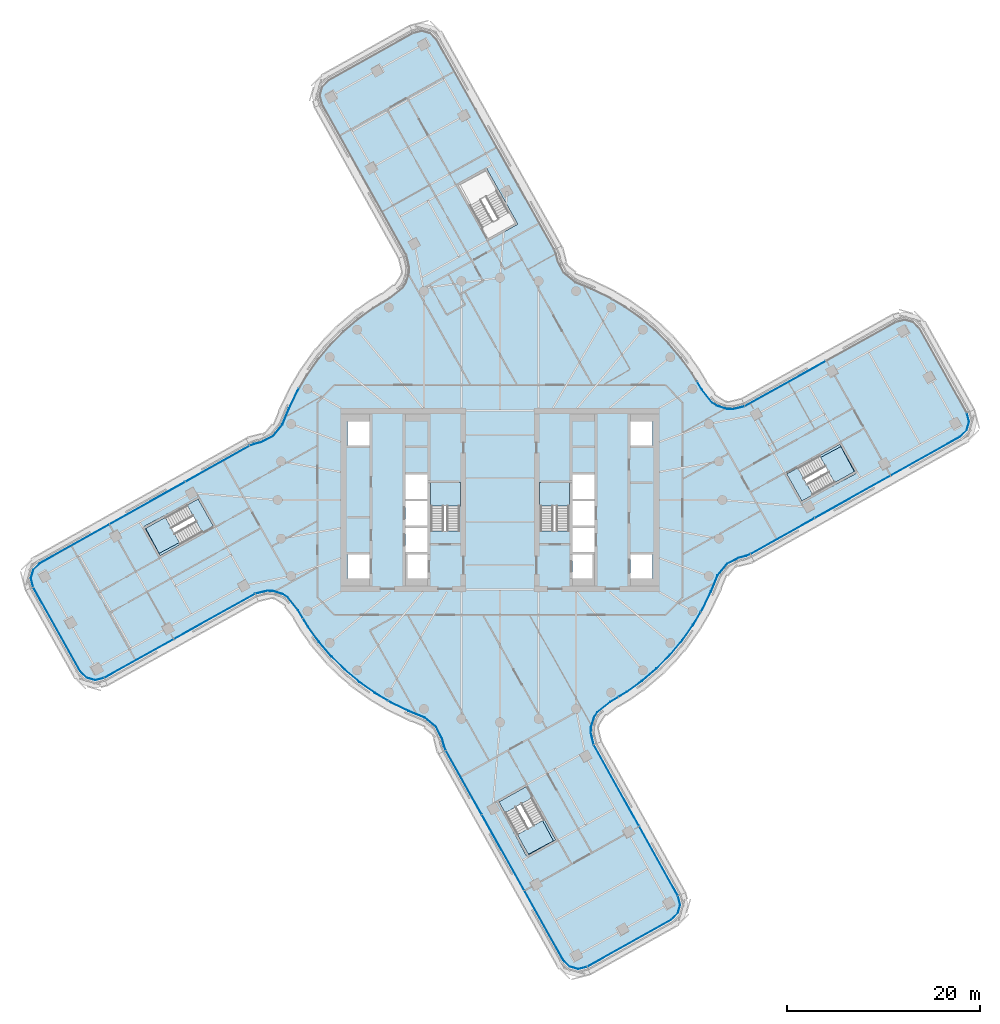
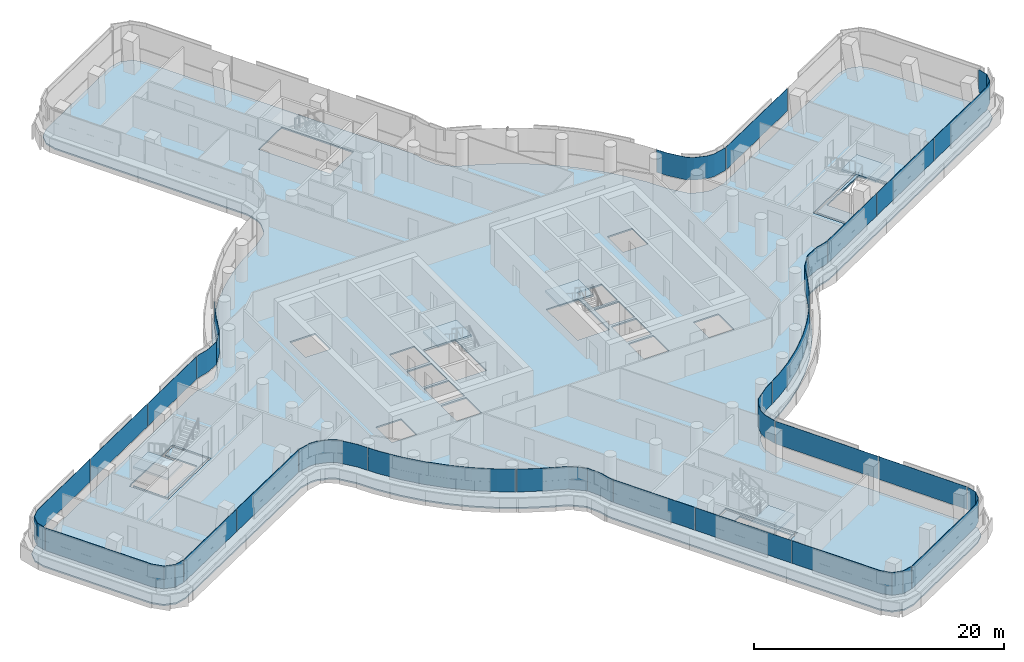
# One storey, part 19 of 34: 24 plates, 9 slabs, 17 elements without a shape of their own.
"""IFC4 building model written with IfcOpenShell, lengths in metres."""

from ifc_helpers import new_model, si_unit, direction, frame, origin, place, context, subcontext, project, spatial, polyline, outline, extrude, material, layer, layer_set, type_object, element, aggregate, save


model = new_model("IFC4")

# Units and contexts
model_context = context("Model", 3, precision=1e-05, world=origin(), true_north=direction((0.0, 1.0)))
body_context = subcontext(model_context, "Body", "Model", "MODEL_VIEW")
ifc_project = project(units=[si_unit("LENGTHUNIT", "METRE"), si_unit("AREAUNIT", "SQUARE_METRE"), si_unit("VOLUMEUNIT", "CUBIC_METRE"), si_unit("PLANEANGLEUNIT", "RADIAN"), si_unit("MASSUNIT", "GRAM", prefix="KILO")], contexts=[model_context])

# Site, building, storey
site_placement = place(None, origin())
site = spatial("IfcSite", under=ifc_project, at=site_placement, CompositionType="ELEMENT")
building_placement = place(site_placement, origin())
building = spatial("IfcBuilding", under=site, at=building_placement, Name="Tamarind Cross Interchange Tower", CompositionType="ELEMENT")
storey_placement = place(building_placement, frame((0.0, 0.0, 140.5)))
storey = spatial("IfcBuildingStorey", under=building, at=storey_placement, Name="L34", CompositionType="ELEMENT", Elevation=140.5)

# Slabs
ifc_material_1 = material(Name="Concrete C35", Category="concrete")
ifc_layer_1 = layer(ifc_material_1, 0.139892578125)
ifc_layer_set_1 = layer_set([ifc_layer_1], Name="Concrete C35")
slab_type_1 = type_object("IfcSlabType", Name="Composite slab 140 Concrete C35", PredefinedType="FLOOR", material=ifc_layer_set_1)
slab_1_placement = place(storey_placement, frame((0.0, 0.0, -0.139892578125)))
element("IfcSlab", 1, at=slab_1_placement, inside=storey, type_object=slab_type_1, Name="Floor slab L34", PredefinedType="FLOOR", context=body_context, shape_type="SweptSolid", body=[
    extrude(outline(polyline([(-25.51025390625, 5.97900390625), (-25.9951171875, 5.785400390625), (-47.711181640625, -6.378173828125), (-48.45263671875, -7.1005859375), (-48.7333984375, -8.09716796875), (-48.478515625, -9.1005859375), (-43.591796875, -17.8251953125), (-42.869384765625, -18.566650390625), (-41.872802734375, -18.847412109375), (-40.869384765625, -18.592529296875), (-25.239990234375, -9.879638671875), (-24.07568359375, -9.595458984375), (-23.55029296875, -9.612060546875), (-22.537353515625, -9.928466796875), (-22.095947265625, -10.2138671875), (-21.054443359375, -11.511474609375), (-20.031982421875, -13.2109375), (-18.87255859375, -14.820068359375), (-17.584228515625, -16.327880859375), (-16.17578125, -17.72412109375), (-14.656982421875, -18.99951171875), (-13.0380859375, -20.14501953125), (-11.329833984375, -21.15283203125), (-9.54443359375, -22.01611328125), (-7.911865234375, -22.68310546875), (-6.740478515625, -23.63427734375), (-6.162841796875, -24.78662109375), (-5.97900390625, -25.51025390625), (-5.785400390625, -25.9951171875), (6.378173828125, -47.711181640625), (7.1005859375, -48.45263671875), (8.09716796875, -48.7333984375), (9.1005859375, -48.478515625), (17.8251953125, -43.591796875), (18.566650390625, -42.869384765625), (18.847412109375, -41.872802734375), (18.592529296875, -40.869384765625), (9.879638671875, -25.239990234375), (9.595458984375, -24.07568359375), (9.612060546875, -23.55029296875), (9.928466796875, -22.537353515625), (10.2138671875, -22.095947265625), (11.511474609375, -21.054443359375), (13.2109375, -20.031982421875), (14.820068359375, -18.87255859375), (16.327880859375, -17.584228515625), (17.72412109375, -16.17578125), (18.99951171875, -14.656982421875), (20.14501953125, -13.0380859375), (21.15283203125, -11.329833984375), (22.01611328125, -9.54443359375), (22.68310546875, -7.911865234375), (23.63427734375, -6.740478515625), (24.78662109375, -6.162841796875), (25.51025390625, -5.97900390625), (25.9951171875, -5.785400390625), (47.711181640625, 6.378173828125), (48.45263671875, 7.1005859375), (48.7333984375, 8.09716796875), (48.478515625, 9.1005859375), (43.591796875, 17.8251953125), (42.869384765625, 18.566650390625), (41.872802734375, 18.847412109375), (40.869384765625, 18.592529296875), (25.239990234375, 9.879638671875), (24.07568359375, 9.595458984375), (23.55029296875, 9.612060546875), (22.537353515625, 9.928466796875), (22.095947265625, 10.2138671875), (21.054443359375, 11.511474609375), (20.031982421875, 13.2109375), (18.87255859375, 14.820068359375), (17.584228515625, 16.327880859375), (16.17578125, 17.72412109375), (14.656982421875, 18.99951171875), (13.0380859375, 20.14501953125), (11.329833984375, 21.15283203125), (9.54443359375, 22.01611328125), (7.911865234375, 22.68310546875), (6.740478515625, 23.63427734375), (6.162841796875, 24.78662109375), (5.97900390625, 25.51025390625), (5.785400390625, 25.9951171875), (-6.378173828125, 47.711181640625), (-7.1005859375, 48.45263671875), (-8.09716796875, 48.7333984375), (-9.1005859375, 48.478515625), (-17.8251953125, 43.591796875), (-18.566650390625, 42.869384765625), (-18.847412109375, 41.872802734375), (-18.592529296875, 40.869384765625), (-9.879638671875, 25.239990234375), (-9.595458984375, 24.07568359375), (-9.612060546875, 23.55029296875), (-9.928466796875, 22.537353515625), (-10.2138671875, 22.095947265625), (-11.511474609375, 21.054443359375), (-13.2109375, 20.031982421875), (-14.820068359375, 18.87255859375), (-16.327880859375, 17.584228515625), (-17.72412109375, 16.17578125), (-18.99951171875, 14.656982421875), (-20.14501953125, 13.0380859375), (-21.15283203125, 11.329833984375), (-22.01611328125, 9.54443359375), (-22.68310546875, 7.911865234375), (-23.63427734375, 6.740478515625), (-24.78662109375, 6.162841796875), (-25.51025390625, 5.97900390625)]), holes=[polyline([(-7.5, -8.125), (-9.800048828125, -8.125), (-9.800048828125, -5.625), (-7.5, -5.625), (-7.5, -8.125)]), polyline([(-13.5, -8.125), (-15.800048828125, -8.125), (-15.800048828125, -5.625), (-13.5, -5.625), (-13.5, -8.125)]), polyline([(-29.3916015625, -2.764892578125), (-35.237060546875, -6.0390625), (-35.334716796875, -5.864501953125), (-36.898681640625, -3.07275390625), (-36.996337890625, -2.898193359375), (-36.74755859375, -2.7587890625), (-36.77587890625, -2.7060546875), (-33.876953125, -1.15087890625), (-31.15087890625, 0.3759765625), (-31.052978515625, 0.201416015625), (-29.4892578125, -2.59033203125), (-29.3916015625, -2.764892578125)]), polyline([(-7.5, -5.375), (-9.800048828125, -5.375), (-9.800048828125, -2.875), (-7.5, -2.875), (-7.5, -5.375)]), polyline([(-7.5, -2.625), (-9.800048828125, -2.625), (-9.800048828125, -0.125), (-7.5, -0.125), (-7.5, -2.625)]), polyline([(-4.199951171875, 1.800048828125), (-4.199951171875, -3.18798828125), (-7.14990234375, -3.18798828125), (-7.14990234375, 1.800048828125), (-4.199951171875, 1.800048828125)]), polyline([(-7.5, 0.125), (-9.800048828125, 0.125), (-9.800048828125, 2.625), (-7.5, 2.625), (-7.5, 0.125)]), polyline([(-13.5, 5.625), (-15.800048828125, 5.625), (-15.800048828125, 8.125), (-13.5, 8.125), (-13.5, 5.625)]), polyline([(-1.298828125, 26.774169921875), (-4.572998046875, 32.61962890625), (-4.3984375, 32.71728515625), (-1.606689453125, 34.28125), (-1.43212890625, 34.37890625), (-1.29248046875, 34.1298828125), (-1.287841796875, 34.132080078125), (-1.15087890625, 33.876953125), (1.842041015625, 28.533447265625), (1.66748046875, 28.435791015625), (-1.124267578125, 26.8720703125), (-1.298828125, 26.774169921875)]), polyline([(6.0390625, -35.237060546875), (5.864501953125, -35.334716796875), (3.07275390625, -36.898681640625), (2.898193359375, -36.996337890625), (2.7587890625, -36.74755859375), (2.7060546875, -36.77587890625), (1.15087890625, -33.876953125), (-0.3759765625, -31.15087890625), (-0.201416015625, -31.052978515625), (2.59033203125, -29.4892578125), (2.764892578125, -29.3916015625), (6.0390625, -35.237060546875)]), polyline([(13.5, -5.625), (15.800048828125, -5.625), (15.800048828125, -8.125), (13.5, -8.125), (13.5, -5.625)]), polyline([(7.5, -5.625), (9.800048828125, -5.625), (9.800048828125, -8.125), (7.5, -8.125), (7.5, -5.625)]), polyline([(7.5, -2.875), (9.800048828125, -2.875), (9.800048828125, -5.375), (7.5, -5.375), (7.5, -2.875)]), polyline([(7.5, -0.125), (9.800048828125, -0.125), (9.800048828125, -2.625), (7.5, -2.625), (7.5, -0.125)]), polyline([(7.14990234375, 1.800048828125), (7.14990234375, -3.18798828125), (4.199951171875, -3.18798828125), (4.199951171875, 1.800048828125), (7.14990234375, 1.800048828125)]), polyline([(36.996337890625, 2.898193359375), (36.74755859375, 2.7587890625), (36.77587890625, 2.7060546875), (33.876953125, 1.15087890625), (31.15087890625, -0.3759765625), (31.052978515625, -0.201416015625), (29.4892578125, 2.59033203125), (29.3916015625, 2.764892578125), (35.237060546875, 6.0390625), (35.334716796875, 5.864501953125), (36.898681640625, 3.07275390625), (36.996337890625, 2.898193359375)]), polyline([(7.5, 2.625), (9.800048828125, 2.625), (9.800048828125, 0.125), (7.5, 0.125), (7.5, 2.625)]), polyline([(15.800048828125, 8.125), (15.800048828125, 5.625), (13.5, 5.625), (13.5, 8.125), (15.800048828125, 8.125)])]), origin(), (0.0, 0.0, 1.0), 0.139892578125),
])
slab_2_placement = place(storey_placement, frame((0.0, 0.0, -0.139892578125)))
element("IfcSlab", 2, at=slab_2_placement, inside=storey, type_object=slab_type_1, Name="Floor slab L34", PredefinedType="FLOOR", context=body_context, shape_type="SweptSolid", body=[
    extrude(outline(polyline([(-36.72412109375, -2.974853515625), (-35.160400390625, -5.766845703125), (-29.663818359375, -2.68798828125), (-31.2275390625, 0.103759765625), (-32.300537109375, -0.4970703125), (-32.372314453125, -0.537353515625), (-30.8916015625, -3.180908203125), (-35.26318359375, -5.52587890625), (-36.653076171875, -2.93505859375), (-36.72412109375, -2.974853515625)])), origin(), (0.0, 0.0, 1.0), 0.139892578125),
])
slab_3_placement = place(storey_placement, frame((0.0, 0.0, -0.139892578125)))
element("IfcSlab", 3, at=slab_3_placement, inside=storey, type_object=slab_type_1, Name="Floor slab L34", PredefinedType="FLOOR", context=body_context, shape_type="SweptSolid", body=[
    extrude(outline(polyline([(2.974853515625, -36.72412109375), (5.766845703125, -35.160400390625), (2.68798828125, -29.663818359375), (-0.103759765625, -31.2275390625), (0.4970703125, -32.300537109375), (0.537353515625, -32.372314453125), (3.180908203125, -30.8916015625), (5.52587890625, -35.26318359375), (2.93505859375, -36.653076171875), (2.974853515625, -36.72412109375)])), origin(), (0.0, 0.0, 1.0), 0.139892578125),
])
slab_4_placement = place(storey_placement, frame((0.0, 0.0, -0.139892578125)))
element("IfcSlab", 4, at=slab_4_placement, inside=storey, type_object=slab_type_1, Name="Floor slab L34", PredefinedType="FLOOR", context=body_context, shape_type="SweptSolid", body=[
    extrude(outline(polyline([(31.2275390625, -0.103759765625), (32.300537109375, 0.4970703125), (32.372314453125, 0.537353515625), (30.8916015625, 3.180908203125), (35.26318359375, 5.52587890625), (36.653076171875, 2.93505859375), (36.72412109375, 2.974853515625), (35.160400390625, 5.766845703125), (29.663818359375, 2.68798828125), (31.2275390625, -0.103759765625)])), origin(), (0.0, 0.0, 1.0), 0.139892578125),
])

# Stair, slab
ifc_material_2 = material(Name="Exit stair")
stair_type = type_object("IfcStairType", Name="Exit stair", PredefinedType="HALF_TURN_STAIR", material=ifc_material_2)
stair_1_placement = place(storey_placement, origin())
stair_1 = element("IfcStair", 5, at=stair_1_placement, inside=storey, type_object=stair_type, Name="L34 exit stair ST1", PredefinedType="HALF_TURN_STAIR")
ifc_material_3 = material(Name="Concrete C40", Category="concrete")
ifc_layer_2 = layer(ifc_material_3, 0.199951171875)
ifc_layer_set_2 = layer_set([ifc_layer_2], Name="Concrete C40")
slab_type_2 = type_object("IfcSlabType", Name="Stair landing", PredefinedType="LANDING", material=ifc_layer_set_2)
slab_5_placement = place(storey_placement, frame((0.0, 0.0, 1.675048828125)))
slab_5 = element("IfcSlab", 6, at=slab_5_placement, type_object=slab_type_2, Name="ST1 landing 1", PredefinedType="LANDING", context=body_context, shape_type="SweptSolid", body=[
    extrude(outline(polyline([(-4.10009765625, -0.60009765625), (-4.10009765625, 1.800048828125), (-7.199951171875, 1.800048828125), (-7.199951171875, -0.60009765625), (-4.10009765625, -0.60009765625)])), origin(), (0.0, 0.0, 1.0), 0.199951171875),
])
aggregate(stair_1, [slab_5])

stair_2_placement = place(storey_placement, origin())
stair_2 = element("IfcStair", 7, at=stair_2_placement, inside=storey, type_object=stair_type, Name="L34 exit stair ST2", PredefinedType="HALF_TURN_STAIR")
slab_6_placement = place(storey_placement, frame((0.0, 0.0, 1.675048828125)))
slab_6 = element("IfcSlab", 8, at=slab_6_placement, type_object=slab_type_2, Name="ST2 landing 1", PredefinedType="LANDING", context=body_context, shape_type="SweptSolid", body=[
    extrude(outline(polyline([(7.199951171875, -0.60009765625), (7.199951171875, 1.800048828125), (4.10009765625, 1.800048828125), (4.10009765625, -0.60009765625), (7.199951171875, -0.60009765625)])), origin(), (0.0, 0.0, 1.0), 0.199951171875),
])
aggregate(stair_2, [slab_6])

stair_3_placement = place(storey_placement, origin())
stair_3 = element("IfcStair", 9, at=stair_3_placement, inside=storey, type_object=stair_type, Name="L34 exit stair ST3", PredefinedType="HALF_TURN_STAIR")
slab_7_placement = place(storey_placement, frame((0.0, 0.0, 1.675048828125)))
slab_7 = element("IfcSlab", 10, at=slab_7_placement, type_object=slab_type_2, Name="ST3 landing 1", PredefinedType="LANDING", context=body_context, shape_type="SweptSolid", body=[
    extrude(outline(polyline([(34.619873046875, 1.796142578125), (36.72412109375, 2.974853515625), (35.160400390625, 5.766845703125), (33.055908203125, 4.588134765625), (34.619873046875, 1.796142578125)])), origin(), (0.0, 0.0, 1.0), 0.199951171875),
])
aggregate(stair_3, [slab_7])

stair_4_placement = place(storey_placement, origin())
stair_4 = element("IfcStair", 11, at=stair_4_placement, inside=storey, type_object=stair_type, Name="L34 exit stair ST5", PredefinedType="HALF_TURN_STAIR")
slab_8_placement = place(storey_placement, frame((0.0, 0.0, 1.675048828125)))
slab_8 = element("IfcSlab", 12, at=slab_8_placement, type_object=slab_type_2, Name="ST5 landing 1", PredefinedType="LANDING", context=body_context, shape_type="SweptSolid", body=[
    extrude(outline(polyline([(-34.619873046875, -1.796142578125), (-36.72412109375, -2.974853515625), (-35.160400390625, -5.766845703125), (-33.055908203125, -4.588134765625), (-34.619873046875, -1.796142578125)])), origin(), (0.0, 0.0, 1.0), 0.199951171875),
])
aggregate(stair_4, [slab_8])

stair_5_placement = place(storey_placement, origin())
stair_5 = element("IfcStair", 13, at=stair_5_placement, inside=storey, type_object=stair_type, Name="L34 exit stair ST6", PredefinedType="HALF_TURN_STAIR")
slab_9_placement = place(storey_placement, frame((0.0, 0.0, 1.675048828125)))
slab_9 = element("IfcSlab", 14, at=slab_9_placement, type_object=slab_type_2, Name="ST6 landing 1", PredefinedType="LANDING", context=body_context, shape_type="SweptSolid", body=[
    extrude(outline(polyline([(1.796142578125, -34.619873046875), (2.974853515625, -36.72412109375), (5.766845703125, -35.160400390625), (4.588134765625, -33.055908203125), (1.796142578125, -34.619873046875)])), origin(), (0.0, 0.0, 1.0), 0.199951171875),
])
aggregate(stair_5, [slab_9])

# Curtain wall, plate
ifc_material_4 = material(Name="Aluminium 6063-T6", Category="aluminium")
ifc_layer_3 = layer(ifc_material_4, 0.159912109375)
ifc_layer_set_3 = layer_set([ifc_layer_3], Name="Aluminium 6063-T6")
curtain_wall_type = type_object("IfcCurtainWallType", Name="Office curtain wall, 9.0 m bays", PredefinedType="NOTDEFINED", material=ifc_layer_set_3)
curtain_wall_1_placement = place(storey_placement, origin())
curtain_wall_1 = element("IfcCurtainWall", 15, at=curtain_wall_1_placement, inside=storey, type_object=curtain_wall_type, Name="CWS-L34-00", PredefinedType="NOTDEFINED")
ifc_material_5 = material(Name="Laminated low-e glass 8+1.52+8", Category="glass")
ifc_layer_4 = layer(ifc_material_5, 0.028076171875)
ifc_layer_set_4 = layer_set([ifc_layer_4], Name="Laminated low-e glass 8+1.52+8")
plate_type = type_object("IfcPlateType", Name="Vision panel CW1", PredefinedType="CURTAIN_PANEL", material=ifc_layer_set_4)
plate_1_placement = place(storey_placement, frame((0.0, 0.0, 1.39990234375)))
plate_1 = element("IfcPlate", 16, at=plate_1_placement, type_object=plate_type, Name="CWP-L34-00-00", PredefinedType="CURTAIN_PANEL", context=body_context, shape_type="SweptSolid", body=[
    extrude(outline(polyline([(-48.264404296875, -9.045166015625), (-43.418701171875, -17.69580078125), (-42.756103515625, -18.376220703125), (-41.869873046875, -18.6259765625), (-40.9765625, -18.39892578125), (-40.9697265625, -18.42626953125), (-41.870361328125, -18.655029296875), (-42.770751953125, -18.401123046875), (-43.44140625, -17.712890625), (-48.288818359375, -9.058837890625), (-48.264404296875, -9.045166015625)])), origin(), (0.0, 0.0, 1.0), 2.210205078125),
])
aggregate(curtain_wall_1, [plate_1])

# Curtain wall, plates
curtain_wall_2_placement = place(storey_placement, origin())
curtain_wall_2 = element("IfcCurtainWall", 17, at=curtain_wall_2_placement, inside=storey, type_object=curtain_wall_type, Name="CWS-L34-01", PredefinedType="NOTDEFINED")
plate_2_placement = place(storey_placement, frame((0.0, 0.0, 1.39990234375)))
plate_2 = element("IfcPlate", 18, at=plate_2_placement, type_object=plate_type, Name="CWP-L34-01-00", PredefinedType="CURTAIN_PANEL", context=body_context, shape_type="SweptSolid", body=[
    extrude(outline(polyline([(-40.924560546875, -18.37841796875), (-33.771728515625, -14.390869140625), (-33.758056640625, -14.415283203125), (-40.910888671875, -18.40283203125), (-40.924560546875, -18.37841796875)])), origin(), (0.0, 0.0, 1.0), 2.210205078125),
])
plate_3_placement = place(storey_placement, frame((0.0, 0.0, 1.39990234375)))
plate_3 = element("IfcPlate", 19, at=plate_3_placement, type_object=plate_type, Name="CWP-L34-01-01", PredefinedType="CURTAIN_PANEL", context=body_context, shape_type="SweptSolid", body=[
    extrude(outline(polyline([(-33.71923828125, -14.361572265625), (-25.3466796875, -9.6943359375), (-25.3330078125, -9.71875), (-33.705810546875, -14.38623046875), (-33.71923828125, -14.361572265625)])), origin(), (0.0, 0.0, 1.0), 2.210205078125),
])
aggregate(curtain_wall_2, [plate_2, plate_3])

curtain_wall_3_placement = place(storey_placement, origin())
curtain_wall_3 = element("IfcCurtainWall", 20, at=curtain_wall_3_placement, inside=storey, type_object=curtain_wall_type, Name="CWS-L34-02", PredefinedType="NOTDEFINED")
plate_4_placement = place(storey_placement, frame((0.0, 0.0, 1.39990234375)))
plate_4 = element("IfcPlate", 21, at=plate_4_placement, type_object=plate_type, Name="CWP-L34-02-00", PredefinedType="CURTAIN_PANEL", context=body_context, shape_type="SweptSolid", body=[
    extrude(outline(polyline([(-25.287841796875, -9.671142578125), (-24.09814453125, -9.380615234375), (-23.514404296875, -9.399169921875), (-22.44580078125, -9.73291015625), (-21.95068359375, -10.052978515625), (-20.87841796875, -11.388916015625), (-20.384033203125, -12.21044921875), (-20.408203125, -12.224853515625), (-20.901611328125, -11.40478515625), (-21.9697265625, -10.073974609375), (-22.457763671875, -9.758544921875), (-23.519287109375, -9.427001953125), (-24.09521484375, -9.40869140625), (-25.28125, -9.6982421875), (-25.287841796875, -9.671142578125)])), origin(), (0.0, 0.0, 1.0), 2.210205078125),
])
plate_5_placement = place(storey_placement, frame((0.0, 0.0, 1.39990234375)))
plate_5 = element("IfcPlate", 22, at=plate_5_placement, type_object=plate_type, Name="CWP-L34-02-01", PredefinedType="CURTAIN_PANEL", context=body_context, shape_type="SweptSolid", body=[
    extrude(outline(polyline([(-20.353271484375, -12.261962890625), (-19.85302734375, -13.093017578125), (-18.7041015625, -14.687744140625), (-17.42724609375, -16.18212890625), (-16.031494140625, -17.56591796875), (-14.526123046875, -18.829833984375), (-12.921630859375, -19.965087890625), (-11.60498046875, -20.741943359375), (-11.619384765625, -20.76611328125), (-12.936767578125, -19.988525390625), (-14.543212890625, -18.85205078125), (-16.05029296875, -17.586669921875), (-17.44775390625, -16.201171875), (-18.72607421875, -14.705078125), (-19.87646484375, -13.1083984375), (-20.377197265625, -12.2763671875), (-20.353271484375, -12.261962890625)])), origin(), (0.0, 0.0, 1.0), 2.210205078125),
])
plate_6_placement = place(storey_placement, frame((0.0, 0.0, 1.39990234375)))
plate_6 = element("IfcPlate", 23, at=plate_6_placement, type_object=plate_type, Name="CWP-L34-02-02", PredefinedType="CURTAIN_PANEL", context=body_context, shape_type="SweptSolid", body=[
    extrude(outline(polyline([(-11.553466796875, -20.7724609375), (-11.228759765625, -20.9638671875), (-9.457275390625, -21.820556640625), (-7.801513671875, -22.4970703125), (-6.569580078125, -23.4970703125), (-5.961181640625, -24.711181640625), (-5.775146484375, -25.44384765625), (-5.602783203125, -25.875732421875), (-5.628662109375, -25.88623046875), (-5.8017578125, -25.45263671875), (-5.987548828125, -24.72119140625), (-6.592041015625, -23.51513671875), (-7.81591796875, -22.521484375), (-9.46875, -21.84619140625), (-11.241943359375, -20.98876953125), (-11.567626953125, -20.79638671875), (-11.553466796875, -20.7724609375)])), origin(), (0.0, 0.0, 1.0), 2.210205078125),
])
aggregate(curtain_wall_3, [plate_4, plate_5, plate_6])

curtain_wall_4_placement = place(storey_placement, origin())
curtain_wall_4 = element("IfcCurtainWall", 24, at=curtain_wall_4_placement, inside=storey, type_object=curtain_wall_type, Name="CWS-L34-03", PredefinedType="NOTDEFINED")
plate_7_placement = place(storey_placement, frame((0.0, 0.0, 1.39990234375)))
plate_7 = element("IfcPlate", 25, at=plate_7_placement, type_object=plate_type, Name="CWP-L34-03-00", PredefinedType="CURTAIN_PANEL", context=body_context, shape_type="SweptSolid", body=[
    extrude(outline(polyline([(-5.57763671875, -25.92822265625), (-1.878662109375, -32.5322265625), (-1.903076171875, -32.5458984375), (-5.602294921875, -25.94189453125), (-5.57763671875, -25.92822265625)])), origin(), (0.0, 0.0, 1.0), 2.210205078125),
])
plate_8_placement = place(storey_placement, frame((0.0, 0.0, 1.39990234375)))
plate_8 = element("IfcPlate", 26, at=plate_8_placement, type_object=plate_type, Name="CWP-L34-03-01", PredefinedType="CURTAIN_PANEL", context=body_context, shape_type="SweptSolid", body=[
    extrude(outline(polyline([(-1.849365234375, -32.584716796875), (2.5126953125, -40.3720703125), (2.48828125, -40.3857421875), (-1.873779296875, -32.598388671875), (-1.849365234375, -32.584716796875)])), origin(), (0.0, 0.0, 1.0), 2.210205078125),
])
plate_9_placement = place(storey_placement, frame((0.0, 0.0, 1.39990234375)))
plate_9 = element("IfcPlate", 27, at=plate_9_placement, type_object=plate_type, Name="CWP-L34-03-02", PredefinedType="CURTAIN_PANEL", context=body_context, shape_type="SweptSolid", body=[
    extrude(outline(polyline([(2.5419921875, -40.42431640625), (6.551025390625, -47.58203125), (7.2138671875, -48.26220703125), (8.099853515625, -48.511962890625), (8.9931640625, -48.28515625), (9.0, -48.312255859375), (8.099609375, -48.541015625), (7.198974609375, -48.287109375), (6.528564453125, -47.598876953125), (2.517578125, -40.43798828125), (2.5419921875, -40.42431640625)])), origin(), (0.0, 0.0, 1.0), 2.210205078125),
])
aggregate(curtain_wall_4, [plate_7, plate_8, plate_9])

# Curtain wall, plate
curtain_wall_5_placement = place(storey_placement, origin())
curtain_wall_5 = element("IfcCurtainWall", 28, at=curtain_wall_5_placement, inside=storey, type_object=curtain_wall_type, Name="CWS-L34-04", PredefinedType="NOTDEFINED")
plate_10_placement = place(storey_placement, frame((0.0, 0.0, 1.39990234375)))
plate_10 = element("IfcPlate", 29, at=plate_10_placement, type_object=plate_type, Name="CWP-L34-04-00", PredefinedType="CURTAIN_PANEL", context=body_context, shape_type="SweptSolid", body=[
    extrude(outline(polyline([(9.045166015625, -48.264404296875), (17.69580078125, -43.418701171875), (18.376220703125, -42.756103515625), (18.6259765625, -41.869873046875), (18.39892578125, -40.9765625), (18.42626953125, -40.9697265625), (18.655029296875, -41.870361328125), (18.401123046875, -42.770751953125), (17.712890625, -43.44140625), (9.058837890625, -48.288818359375), (9.045166015625, -48.264404296875)])), origin(), (0.0, 0.0, 1.0), 2.210205078125),
])
aggregate(curtain_wall_5, [plate_10])

# Curtain wall, plates
curtain_wall_6_placement = place(storey_placement, origin())
curtain_wall_6 = element("IfcCurtainWall", 30, at=curtain_wall_6_placement, inside=storey, type_object=curtain_wall_type, Name="CWS-L34-05", PredefinedType="NOTDEFINED")
plate_11_placement = place(storey_placement, frame((0.0, 0.0, 1.39990234375)))
plate_11 = element("IfcPlate", 31, at=plate_11_placement, type_object=plate_type, Name="CWP-L34-05-00", PredefinedType="CURTAIN_PANEL", context=body_context, shape_type="SweptSolid", body=[
    extrude(outline(polyline([(18.37841796875, -40.924560546875), (14.390869140625, -33.771728515625), (14.415283203125, -33.758056640625), (18.40283203125, -40.910888671875), (18.37841796875, -40.924560546875)])), origin(), (0.0, 0.0, 1.0), 2.210205078125),
])
plate_12_placement = place(storey_placement, frame((0.0, 0.0, 1.39990234375)))
plate_12 = element("IfcPlate", 32, at=plate_12_placement, type_object=plate_type, Name="CWP-L34-05-01", PredefinedType="CURTAIN_PANEL", context=body_context, shape_type="SweptSolid", body=[
    extrude(outline(polyline([(14.361572265625, -33.71923828125), (9.6943359375, -25.3466796875), (9.71875, -25.3330078125), (14.38623046875, -33.705810546875), (14.361572265625, -33.71923828125)])), origin(), (0.0, 0.0, 1.0), 2.210205078125),
])
aggregate(curtain_wall_6, [plate_11, plate_12])

curtain_wall_7_placement = place(storey_placement, origin())
curtain_wall_7 = element("IfcCurtainWall", 33, at=curtain_wall_7_placement, inside=storey, type_object=curtain_wall_type, Name="CWS-L34-06", PredefinedType="NOTDEFINED")
plate_13_placement = place(storey_placement, frame((0.0, 0.0, 1.39990234375)))
plate_13 = element("IfcPlate", 34, at=plate_13_placement, type_object=plate_type, Name="CWP-L34-06-00", PredefinedType="CURTAIN_PANEL", context=body_context, shape_type="SweptSolid", body=[
    extrude(outline(polyline([(9.671142578125, -25.287841796875), (9.380615234375, -24.09814453125), (9.399169921875, -23.514404296875), (9.73291015625, -22.44580078125), (10.052978515625, -21.95068359375), (11.388916015625, -20.87841796875), (12.21044921875, -20.384033203125), (12.224853515625, -20.408203125), (11.40478515625, -20.901611328125), (10.073974609375, -21.9697265625), (9.758544921875, -22.457763671875), (9.427001953125, -23.519287109375), (9.40869140625, -24.09521484375), (9.6982421875, -25.28125), (9.671142578125, -25.287841796875)])), origin(), (0.0, 0.0, 1.0), 2.210205078125),
])
plate_14_placement = place(storey_placement, frame((0.0, 0.0, 1.39990234375)))
plate_14 = element("IfcPlate", 35, at=plate_14_placement, type_object=plate_type, Name="CWP-L34-06-01", PredefinedType="CURTAIN_PANEL", context=body_context, shape_type="SweptSolid", body=[
    extrude(outline(polyline([(12.261962890625, -20.353271484375), (13.093017578125, -19.85302734375), (14.687744140625, -18.7041015625), (16.18212890625, -17.42724609375), (17.56591796875, -16.031494140625), (18.829833984375, -14.526123046875), (19.965087890625, -12.921630859375), (20.741943359375, -11.60498046875), (20.76611328125, -11.619384765625), (19.988525390625, -12.936767578125), (18.85205078125, -14.543212890625), (17.586669921875, -16.05029296875), (16.201171875, -17.44775390625), (14.705078125, -18.72607421875), (13.1083984375, -19.87646484375), (12.2763671875, -20.377197265625), (12.261962890625, -20.353271484375)])), origin(), (0.0, 0.0, 1.0), 2.210205078125),
])
plate_15_placement = place(storey_placement, frame((0.0, 0.0, 1.39990234375)))
plate_15 = element("IfcPlate", 36, at=plate_15_placement, type_object=plate_type, Name="CWP-L34-06-02", PredefinedType="CURTAIN_PANEL", context=body_context, shape_type="SweptSolid", body=[
    extrude(outline(polyline([(20.7724609375, -11.553466796875), (20.9638671875, -11.228759765625), (21.820556640625, -9.457275390625), (22.4970703125, -7.801513671875), (23.4970703125, -6.569580078125), (24.711181640625, -5.961181640625), (25.44384765625, -5.775146484375), (25.875732421875, -5.602783203125), (25.88623046875, -5.628662109375), (25.45263671875, -5.8017578125), (24.72119140625, -5.987548828125), (23.51513671875, -6.592041015625), (22.521484375, -7.81591796875), (21.84619140625, -9.46875), (20.98876953125, -11.241943359375), (20.79638671875, -11.567626953125), (20.7724609375, -11.553466796875)])), origin(), (0.0, 0.0, 1.0), 2.210205078125),
])
aggregate(curtain_wall_7, [plate_13, plate_14, plate_15])

curtain_wall_8_placement = place(storey_placement, origin())
curtain_wall_8 = element("IfcCurtainWall", 37, at=curtain_wall_8_placement, inside=storey, type_object=curtain_wall_type, Name="CWS-L34-07", PredefinedType="NOTDEFINED")
plate_16_placement = place(storey_placement, frame((0.0, 0.0, 1.39990234375)))
plate_16 = element("IfcPlate", 38, at=plate_16_placement, type_object=plate_type, Name="CWP-L34-07-00", PredefinedType="CURTAIN_PANEL", context=body_context, shape_type="SweptSolid", body=[
    extrude(outline(polyline([(25.92822265625, -5.57763671875), (32.5322265625, -1.878662109375), (32.5458984375, -1.903076171875), (25.94189453125, -5.602294921875), (25.92822265625, -5.57763671875)])), origin(), (0.0, 0.0, 1.0), 2.210205078125),
])
plate_17_placement = place(storey_placement, frame((0.0, 0.0, 1.39990234375)))
plate_17 = element("IfcPlate", 39, at=plate_17_placement, type_object=plate_type, Name="CWP-L34-07-01", PredefinedType="CURTAIN_PANEL", context=body_context, shape_type="SweptSolid", body=[
    extrude(outline(polyline([(32.584716796875, -1.849365234375), (40.3720703125, 2.5126953125), (40.3857421875, 2.48828125), (32.598388671875, -1.873779296875), (32.584716796875, -1.849365234375)])), origin(), (0.0, 0.0, 1.0), 2.210205078125),
])
plate_18_placement = place(storey_placement, frame((0.0, 0.0, 1.39990234375)))
plate_18 = element("IfcPlate", 40, at=plate_18_placement, type_object=plate_type, Name="CWP-L34-07-02", PredefinedType="CURTAIN_PANEL", context=body_context, shape_type="SweptSolid", body=[
    extrude(outline(polyline([(40.42431640625, 2.5419921875), (47.58203125, 6.551025390625), (48.26220703125, 7.2138671875), (48.511962890625, 8.099853515625), (48.28515625, 8.9931640625), (48.312255859375, 9.0), (48.541015625, 8.099609375), (48.287109375, 7.198974609375), (47.598876953125, 6.528564453125), (40.43798828125, 2.517578125), (40.42431640625, 2.5419921875)])), origin(), (0.0, 0.0, 1.0), 2.210205078125),
])
aggregate(curtain_wall_8, [plate_16, plate_17, plate_18])

# Curtain wall, plate
curtain_wall_9_placement = place(storey_placement, origin())
curtain_wall_9 = element("IfcCurtainWall", 41, at=curtain_wall_9_placement, inside=storey, type_object=curtain_wall_type, Name="CWS-L34-09", PredefinedType="NOTDEFINED")
plate_19_placement = place(storey_placement, frame((0.0, 0.0, 1.39990234375)))
plate_19 = element("IfcPlate", 42, at=plate_19_placement, type_object=plate_type, Name="CWP-L34-09-01", PredefinedType="CURTAIN_PANEL", context=body_context, shape_type="SweptSolid", body=[
    extrude(outline(polyline([(33.71923828125, 14.361572265625), (25.3466796875, 9.6943359375), (25.3330078125, 9.71875), (33.705810546875, 14.38623046875), (33.71923828125, 14.361572265625)])), origin(), (0.0, 0.0, 1.0), 2.210205078125),
])
aggregate(curtain_wall_9, [plate_19])

curtain_wall_10_placement = place(storey_placement, origin())
curtain_wall_10 = element("IfcCurtainWall", 43, at=curtain_wall_10_placement, inside=storey, type_object=curtain_wall_type, Name="CWS-L34-10", PredefinedType="NOTDEFINED")
plate_20_placement = place(storey_placement, frame((0.0, 0.0, 1.39990234375)))
plate_20 = element("IfcPlate", 44, at=plate_20_placement, type_object=plate_type, Name="CWP-L34-10-00", PredefinedType="CURTAIN_PANEL", context=body_context, shape_type="SweptSolid", body=[
    extrude(outline(polyline([(25.287841796875, 9.671142578125), (24.09814453125, 9.380615234375), (23.514404296875, 9.399169921875), (22.44580078125, 9.73291015625), (21.95068359375, 10.052978515625), (20.87841796875, 11.388916015625), (20.384033203125, 12.21044921875), (20.408203125, 12.224853515625), (20.901611328125, 11.40478515625), (21.9697265625, 10.073974609375), (22.457763671875, 9.758544921875), (23.519287109375, 9.427001953125), (24.09521484375, 9.40869140625), (25.28125, 9.6982421875), (25.287841796875, 9.671142578125)])), origin(), (0.0, 0.0, 1.0), 2.210205078125),
])
aggregate(curtain_wall_10, [plate_20])

curtain_wall_11_placement = place(storey_placement, origin())
curtain_wall_11 = element("IfcCurtainWall", 45, at=curtain_wall_11_placement, inside=storey, type_object=curtain_wall_type, Name="CWS-L34-14", PredefinedType="NOTDEFINED")
plate_21_placement = place(storey_placement, frame((0.0, 0.0, 1.39990234375)))
plate_21 = element("IfcPlate", 46, at=plate_21_placement, type_object=plate_type, Name="CWP-L34-14-02", PredefinedType="CURTAIN_PANEL", context=body_context, shape_type="SweptSolid", body=[
    extrude(outline(polyline([(-20.7724609375, 11.553466796875), (-20.9638671875, 11.228759765625), (-21.820556640625, 9.457275390625), (-22.4970703125, 7.801513671875), (-23.4970703125, 6.569580078125), (-24.711181640625, 5.961181640625), (-25.44384765625, 5.775146484375), (-25.875732421875, 5.602783203125), (-25.88623046875, 5.628662109375), (-25.45263671875, 5.8017578125), (-24.72119140625, 5.987548828125), (-23.51513671875, 6.592041015625), (-22.521484375, 7.81591796875), (-21.84619140625, 9.46875), (-20.98876953125, 11.241943359375), (-20.79638671875, 11.567626953125), (-20.7724609375, 11.553466796875)])), origin(), (0.0, 0.0, 1.0), 2.210205078125),
])
aggregate(curtain_wall_11, [plate_21])

# Curtain wall, plates
curtain_wall_12_placement = place(storey_placement, origin())
curtain_wall_12 = element("IfcCurtainWall", 47, at=curtain_wall_12_placement, inside=storey, type_object=curtain_wall_type, Name="CWS-L34-15", PredefinedType="NOTDEFINED")
plate_22_placement = place(storey_placement, frame((0.0, 0.0, 1.39990234375)))
plate_22 = element("IfcPlate", 48, at=plate_22_placement, type_object=plate_type, Name="CWP-L34-15-00", PredefinedType="CURTAIN_PANEL", context=body_context, shape_type="SweptSolid", body=[
    extrude(outline(polyline([(-25.92822265625, 5.57763671875), (-32.5322265625, 1.878662109375), (-32.5458984375, 1.903076171875), (-25.94189453125, 5.602294921875), (-25.92822265625, 5.57763671875)])), origin(), (0.0, 0.0, 1.0), 2.210205078125),
])
plate_23_placement = place(storey_placement, frame((0.0, 0.0, 1.39990234375)))
plate_23 = element("IfcPlate", 49, at=plate_23_placement, type_object=plate_type, Name="CWP-L34-15-01", PredefinedType="CURTAIN_PANEL", context=body_context, shape_type="SweptSolid", body=[
    extrude(outline(polyline([(-32.584716796875, 1.849365234375), (-40.3720703125, -2.5126953125), (-40.3857421875, -2.48828125), (-32.598388671875, 1.873779296875), (-32.584716796875, 1.849365234375)])), origin(), (0.0, 0.0, 1.0), 2.210205078125),
])
plate_24_placement = place(storey_placement, frame((0.0, 0.0, 1.39990234375)))
plate_24 = element("IfcPlate", 50, at=plate_24_placement, type_object=plate_type, Name="CWP-L34-15-02", PredefinedType="CURTAIN_PANEL", context=body_context, shape_type="SweptSolid", body=[
    extrude(outline(polyline([(-40.42431640625, -2.5419921875), (-47.58203125, -6.551025390625), (-48.26220703125, -7.2138671875), (-48.511962890625, -8.099853515625), (-48.28515625, -8.9931640625), (-48.312255859375, -9.0), (-48.541015625, -8.099609375), (-48.287109375, -7.198974609375), (-47.598876953125, -6.528564453125), (-40.43798828125, -2.517578125), (-40.42431640625, -2.5419921875)])), origin(), (0.0, 0.0, 1.0), 2.210205078125),
])
aggregate(curtain_wall_12, [plate_22, plate_23, plate_24])

save(model, "model.ifc")
